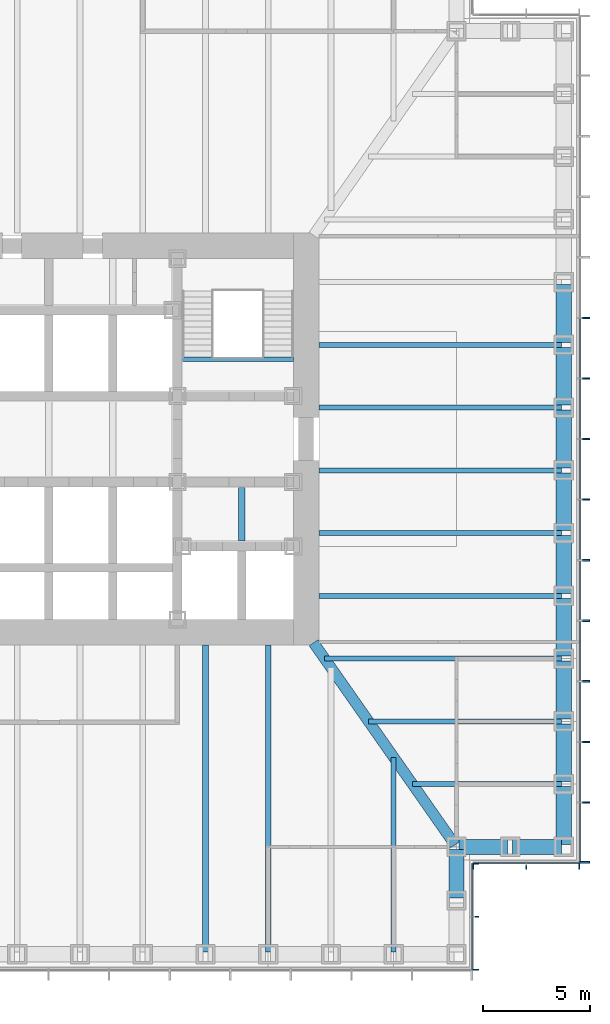
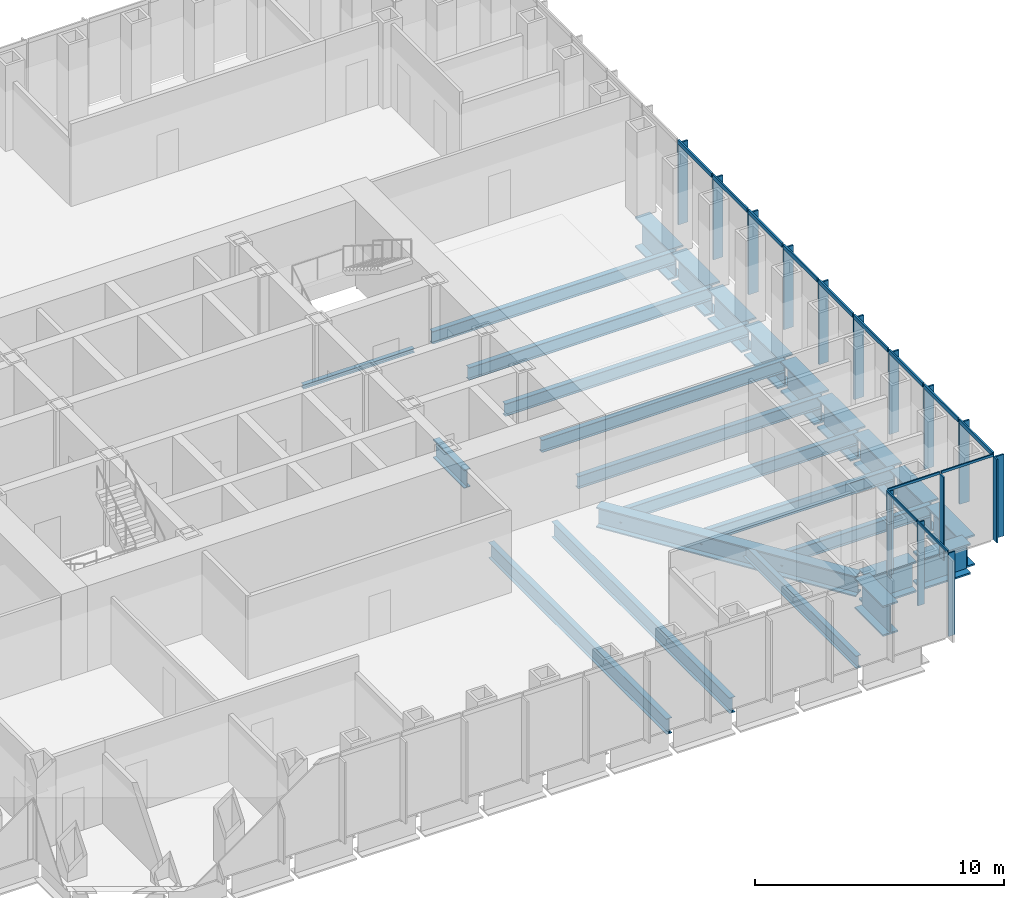
# One storey, part 4 of 17: 29 members, 26 beams, 3 elements without a shape of their own.
"""IFC4 building model written with IfcOpenShell, lengths in metres."""

import ifcopenshell
import ifcopenshell.guid

model = None  # the IFC model being written
_history = None  # IfcOwnerHistory: only IFC2X3 demands one
_inside = {}  # id of a spatial element -> (the spatial element, [elements in it])
_under = {}  # id of a project, library or spatial element -> (it, [spatial elements below it])
_declared = {}  # id of a project -> (the project, [libraries it declares])
_typed = {}  # id of a type object -> (the type object, [elements of that type])
_made_of = {}  # id of a material, layer set ... -> (it, [elements and type objects made of it])


def new_model(schema):
    """Start an empty IFC model of exactly this schema.

    Asked for "IFC4X3", IfcOpenShell would pick the latest addendum, in which some entities
    have other attributes; the version numbers below select the first issue.
    IFC2X3 requires an IfcOwnerHistory on every rooted entity: one is made here for all.
    """
    global model, _history
    if schema == "IFC4X3":
        model = ifcopenshell.file(schema_version=(4, 3, 0, 0))
    else:
        model = ifcopenshell.file(schema=schema)
    _inside.clear()
    _under.clear()
    _declared.clear()
    _typed.clear()
    _made_of.clear()
    _history = None
    if model.schema == "IFC2X3":
        org = make("IfcOrganization", Name="unknown")
        user = make(
            "IfcPersonAndOrganization",
            ThePerson=make("IfcPerson", FamilyName="unknown"),
            TheOrganization=org,
        )
        app = make(
            "IfcApplication",
            ApplicationDeveloper=org,
            Version="unknown",
            ApplicationFullName="unknown",
            ApplicationIdentifier="unknown",
        )
        _history = make(
            "IfcOwnerHistory",
            OwningUser=user,
            OwningApplication=app,
            ChangeAction="ADDED",
            CreationDate=0,
        )
    return model


def make(cls, **values):
    """One entity of the class cls with the attributes given. An attribute that is None is left unset."""
    return model.create_entity(
        cls, **{name: value for name, value in values.items() if value is not None}
    )


def rooted(cls, **values):
    """An entity with a GlobalId (a new one), such as an element, a storey or a relation."""
    return make(cls, GlobalId=ifcopenshell.guid.new(), OwnerHistory=_history, **values)


def si_unit(unit_type, name, prefix=None):
    """IfcSIUnit, for example si_unit("LENGTHUNIT", "METRE", prefix="MILLI")."""
    return make("IfcSIUnit", UnitType=unit_type, Prefix=prefix, Name=name)


def assignment(units):
    """IfcUnitAssignment: the units of a project."""
    return None if units is None else make("IfcUnitAssignment", Units=units)


def point(xyz):
    """IfcCartesianPoint."""
    return None if xyz is None else make("IfcCartesianPoint", Coordinates=xyz)


def direction(xyz):
    """IfcDirection."""
    return None if xyz is None else make("IfcDirection", DirectionRatios=xyz)


def frame(location, z_axis=None, x_axis=None):
    """IfcAxis2Placement3D, a coordinate frame: its origin and axes. An axis left out is left unset."""
    return make(
        "IfcAxis2Placement3D",
        Location=point(location),
        Axis=direction(z_axis),
        RefDirection=direction(x_axis),
    )


def frame_2d(location, x_axis=None):
    """IfcAxis2Placement2D, a coordinate frame in the plane: its origin and x axis."""
    return make(
        "IfcAxis2Placement2D", Location=point(location), RefDirection=direction(x_axis)
    )


def origin():
    """The frame at (0, 0, 0) with its axes left unset."""
    return frame((0.0, 0.0, 0.0))


def origin_2d():
    """The frame at (0, 0) in the plane with its x axis left unset."""
    return frame_2d((0.0, 0.0))


def place(relative_to, where):
    """IfcLocalPlacement: puts the frame where relative to a parent placement (None: the world)."""
    return make(
        "IfcLocalPlacement", PlacementRelTo=relative_to, RelativePlacement=where
    )


def context(
    kind, dimensions, precision=None, world=None, true_north=None, identifier=None
):
    """IfcGeometricRepresentationContext, for example the 3D "Model" context."""
    return make(
        "IfcGeometricRepresentationContext",
        ContextIdentifier=identifier,
        ContextType=kind,
        CoordinateSpaceDimension=dimensions,
        Precision=precision,
        WorldCoordinateSystem=world,
        TrueNorth=true_north,
    )


def subcontext(parent, identifier, kind, view, scale=None):
    """IfcGeometricRepresentationSubContext, for example "Body" below "Model"."""
    return make(
        "IfcGeometricRepresentationSubContext",
        ContextIdentifier=identifier,
        ContextType=kind,
        ParentContext=parent,
        TargetScale=scale,
        TargetView=view,
    )


def project(units=None, contexts=None):
    """IfcProject with its units and contexts."""
    return rooted(
        "IfcProject",
        Name="project",
        RepresentationContexts=contexts,
        UnitsInContext=assignment(units),
    )


def spatial(cls, under=None, at=None, **own):
    """A site, building, storey or space (cls), placed at a placement, below another one or the project."""
    s = rooted(cls, ObjectPlacement=at, **own)
    if under is not None:
        _under.setdefault(under.id(), (under, []))[1].append(s)
    return s


def profile(cls, at=None, kind="AREA", **sizes):
    """A parametric profile (cls). Its sizes go by their IFC names, for example OverallWidth=200.0."""
    return make(cls, ProfileType=kind, Position=at, **sizes)


def rectangle(**sizes):
    """IfcRectangleProfileDef."""
    return profile("IfcRectangleProfileDef", **sizes)


def i_section(**sizes):
    """IfcIShapeProfileDef."""
    return profile("IfcIShapeProfileDef", **sizes)


def extrude(swept, where, along, depth):
    """IfcExtrudedAreaSolid: the profile swept, set in the frame where, extruded along a direction by depth."""
    return make(
        "IfcExtrudedAreaSolid",
        SweptArea=swept,
        Position=where,
        ExtrudedDirection=direction(along),
        Depth=depth,
    )


def shape(context_of_items, identifier, shape_type, items):
    """IfcShapeRepresentation: the items that make up one representation, for example the "Body"."""
    return make(
        "IfcShapeRepresentation",
        ContextOfItems=context_of_items,
        RepresentationIdentifier=identifier,
        RepresentationType=shape_type,
        Items=items,
    )


def material(Name=None, Category=None):
    """IfcMaterial."""
    return make("IfcMaterial", Name=Name, Category=Category)


def material_profile(
    of_material, cross_section, Name=None, Category=None, Priority=None
):
    """IfcMaterialProfile: a cross section and its material."""
    return make(
        "IfcMaterialProfile",
        Name=Name,
        Material=of_material,
        Profile=cross_section,
        Priority=Priority,
        Category=Category,
    )


def profile_set(profiles, Name=None, composite=None):
    """IfcMaterialProfileSet."""
    return make(
        "IfcMaterialProfileSet",
        Name=Name,
        MaterialProfiles=profiles,
        CompositeProfile=composite,
    )


def made_of(thing, what):
    """Note that an element or type object is made of a material, layer set ...; save() writes the relation."""
    if what is not None:
        _made_of.setdefault(what.id(), (what, []))[1].append(thing)
    return thing


def type_object(cls, material=None, **own):
    """A type object (cls), such as IfcWallType, which elements share."""
    return made_of(rooted(cls, **own), material)


def element(
    cls,
    number,
    at=None,
    inside=None,
    cuts=None,
    type_object=None,
    material=None,
    context=None,
    identifier="Body",
    shape_type=None,
    held_by="IfcProductDefinitionShape",
    body=None,
    shapes=None,
    **own,
):
    """One element of the class cls, such as IfcWall. Its Tag is "e" and its number.

    at: its placement. inside: the storey or other place that contains it. cuts: it is an
    opening in that element (IfcRelVoidsElement). A single representation is given by context,
    identifier, shape_type and body (its items); several are given by shapes. held_by: the class
    of the entity that holds the representations. save() writes the other relations.
    """
    e = rooted(cls, Tag="e%d" % number, ObjectPlacement=at, **own)
    if body is not None:
        shapes = [shape(context, identifier, shape_type, body)]
    if shapes is not None:
        e.Representation = make(held_by, Representations=shapes)
    if inside is not None:
        _inside.setdefault(inside.id(), (inside, []))[1].append(e)
    if cuts is not None:
        rooted(
            "IfcRelVoidsElement", RelatingBuildingElement=cuts, RelatedOpeningElement=e
        )
    if type_object is not None:
        _typed.setdefault(type_object.id(), (type_object, []))[1].append(e)
    return made_of(e, material)


def aggregate(whole, parts):
    """IfcRelAggregates: a whole, such as a stair, and the parts it consists of."""
    return rooted("IfcRelAggregates", RelatingObject=whole, RelatedObjects=parts)


def save(model, path):
    """Write the relations noted so far, then the file.

    IfcRelAggregates (storeys below a building ...), IfcRelContainedInSpatialStructure (elements
    in a storey), IfcRelDefinesByType, IfcRelAssociatesMaterial and IfcRelDeclares: one each for
    every whole, place, type object, material and project.
    """
    for whole, parts in _under.values():
        aggregate(whole, parts)
    for where, things in _inside.values():
        rooted(
            "IfcRelContainedInSpatialStructure",
            RelatedElements=things,
            RelatingStructure=where,
        )
    for kind, things in _typed.values():
        rooted("IfcRelDefinesByType", RelatedObjects=things, RelatingType=kind)
    for what, things in _made_of.values():
        rooted("IfcRelAssociatesMaterial", RelatedObjects=things, RelatingMaterial=what)
    for by, libraries in _declared.values():
        rooted("IfcRelDeclares", RelatingContext=by, RelatedDefinitions=libraries)
    model.write(path)


model = new_model("IFC4")

# Units and contexts
model_context = context("Model", 3, precision=1e-05, world=origin(), true_north=direction((0.0, 1.0)))
body_context = subcontext(model_context, "Body", "Model", "MODEL_VIEW")
ifc_project = project(units=[si_unit("LENGTHUNIT", "METRE"), si_unit("AREAUNIT", "SQUARE_METRE"), si_unit("VOLUMEUNIT", "CUBIC_METRE"), si_unit("PLANEANGLEUNIT", "RADIAN"), si_unit("MASSUNIT", "GRAM", prefix="KILO")], contexts=[model_context])

# Site, building, storey
site_placement = place(None, origin())
site = spatial("IfcSite", under=ifc_project, at=site_placement, CompositionType="ELEMENT")
building_placement = place(site_placement, origin())
building = spatial("IfcBuilding", under=site, at=building_placement, Name="Daluyong Arena Tower", CompositionType="ELEMENT")
storey_placement = place(building_placement, frame((0.0, 0.0, 89.5)))
storey = spatial("IfcBuildingStorey", under=building, at=storey_placement, Name="L19", CompositionType="ELEMENT", Elevation=89.5)

# Curtain wall, members
ifc_material_1 = material(Name="Bronze anodised aluminium and glass", Category="aluminium")
curtain_wall_type_1 = type_object("IfcCurtainWallType", Name="Curtain wall CW1", PredefinedType="USERDEFINED", material=ifc_material_1)
curtain_wall_1_placement = place(storey_placement, origin())
curtain_wall_1 = element("IfcCurtainWall", 1, at=curtain_wall_1_placement, inside=storey, type_object=curtain_wall_type_1, Name="curtain wall L19 E", ObjectType="UNITISED CURTAIN WALL", PredefinedType="USERDEFINED")
ifc_material_2 = material(Name="Bronze anodised aluminium fin", Category="aluminium")
ifc_material_profile_1 = material_profile(ifc_material_2, rectangle(XDim=0.449951171875, YDim=0.080078125, at=origin_2d()))
ifc_profile_set_1 = profile_set([ifc_material_profile_1], Name="Bronze anodised aluminium fin")
member_type_1 = type_object("IfcMemberType", Name="CW1 bronze fin 450x80", PredefinedType="MULLION", material=ifc_profile_set_1)
member_1_placement = place(storey_placement, frame((80.97509765625, 60.2900390625, 0.0), z_axis=(0.0, 0.0, 1.0), x_axis=(-1.0, 0.0, 0.0)))
member_1 = element("IfcMember", 2, at=member_1_placement, type_object=member_type_1, Name="curtain wall L19 E fin 1", PredefinedType="MULLION", context=body_context, shape_type="SweptSolid", body=[
    extrude(rectangle(XDim=0.449951171875, YDim=0.080078125, at=origin_2d()), origin(), (0.0, 0.0, 1.0), 4.0),
])
member_2_placement = place(storey_placement, frame((80.97509765625, 63.071533203125, 0.0), z_axis=(0.0, 0.0, 1.0), x_axis=(-1.0, 0.0, 0.0)))
member_2 = element("IfcMember", 3, at=member_2_placement, type_object=member_type_1, Name="curtain wall L19 E fin 2", PredefinedType="MULLION", context=body_context, shape_type="SweptSolid", body=[
    extrude(rectangle(XDim=0.449951171875, YDim=0.080078125, at=origin_2d()), origin(), (0.0, 0.0, 1.0), 4.0),
])
member_3_placement = place(storey_placement, frame((80.97509765625, 65.892822265625, 0.0), z_axis=(0.0, 0.0, 1.0), x_axis=(-1.0, 0.0, 0.0)))
member_3 = element("IfcMember", 4, at=member_3_placement, type_object=member_type_1, Name="curtain wall L19 E fin 3", PredefinedType="MULLION", context=body_context, shape_type="SweptSolid", body=[
    extrude(rectangle(XDim=0.449951171875, YDim=0.080078125, at=origin_2d()), origin(), (0.0, 0.0, 1.0), 4.0),
])
member_4_placement = place(storey_placement, frame((80.97509765625, 68.71435546875, 0.0), z_axis=(0.0, 0.0, 1.0), x_axis=(-1.0, 0.0, 0.0)))
member_4 = element("IfcMember", 5, at=member_4_placement, type_object=member_type_1, Name="curtain wall L19 E fin 4", PredefinedType="MULLION", context=body_context, shape_type="SweptSolid", body=[
    extrude(rectangle(XDim=0.449951171875, YDim=0.080078125, at=origin_2d()), origin(), (0.0, 0.0, 1.0), 4.0),
])
member_5_placement = place(storey_placement, frame((80.97509765625, 71.53564453125, 0.0), z_axis=(0.0, 0.0, 1.0), x_axis=(-1.0, 0.0, 0.0)))
member_5 = element("IfcMember", 6, at=member_5_placement, type_object=member_type_1, Name="curtain wall L19 E fin 5", PredefinedType="MULLION", context=body_context, shape_type="SweptSolid", body=[
    extrude(rectangle(XDim=0.449951171875, YDim=0.080078125, at=origin_2d()), origin(), (0.0, 0.0, 1.0), 4.0),
])
member_6_placement = place(storey_placement, frame((80.97509765625, 74.357177734375, 0.0), z_axis=(0.0, 0.0, 1.0), x_axis=(-1.0, 0.0, 0.0)))
member_6 = element("IfcMember", 7, at=member_6_placement, type_object=member_type_1, Name="curtain wall L19 E fin 6", PredefinedType="MULLION", context=body_context, shape_type="SweptSolid", body=[
    extrude(rectangle(XDim=0.449951171875, YDim=0.080078125, at=origin_2d()), origin(), (0.0, 0.0, 1.0), 4.0),
])
member_7_placement = place(storey_placement, frame((80.97509765625, 77.178466796875, 0.0), z_axis=(0.0, 0.0, 1.0), x_axis=(-1.0, 0.0, 0.0)))
member_7 = element("IfcMember", 8, at=member_7_placement, type_object=member_type_1, Name="curtain wall L19 E fin 7", PredefinedType="MULLION", context=body_context, shape_type="SweptSolid", body=[
    extrude(rectangle(XDim=0.449951171875, YDim=0.080078125, at=origin_2d()), origin(), (0.0, 0.0, 1.0), 4.0),
])
member_8_placement = place(storey_placement, frame((80.97509765625, 80.0, 0.0), z_axis=(0.0, 0.0, 1.0), x_axis=(-1.0, 0.0, 0.0)))
member_8 = element("IfcMember", 9, at=member_8_placement, type_object=member_type_1, Name="curtain wall L19 E fin 8", PredefinedType="MULLION", context=body_context, shape_type="SweptSolid", body=[
    extrude(rectangle(XDim=0.449951171875, YDim=0.080078125, at=origin_2d()), origin(), (0.0, 0.0, 1.0), 4.0),
])
member_9_placement = place(storey_placement, frame((80.97509765625, 82.821533203125, 0.0), z_axis=(0.0, 0.0, 1.0), x_axis=(-1.0, 0.0, 0.0)))
member_9 = element("IfcMember", 10, at=member_9_placement, type_object=member_type_1, Name="curtain wall L19 E fin 9", PredefinedType="MULLION", context=body_context, shape_type="SweptSolid", body=[
    extrude(rectangle(XDim=0.449951171875, YDim=0.080078125, at=origin_2d()), origin(), (0.0, 0.0, 1.0), 4.0),
])
member_10_placement = place(storey_placement, frame((80.97509765625, 85.642822265625, 0.0), z_axis=(0.0, 0.0, 1.0), x_axis=(-1.0, 0.0, 0.0)))
member_10 = element("IfcMember", 11, at=member_10_placement, type_object=member_type_1, Name="curtain wall L19 E fin 10", PredefinedType="MULLION", context=body_context, shape_type="SweptSolid", body=[
    extrude(rectangle(XDim=0.449951171875, YDim=0.080078125, at=origin_2d()), origin(), (0.0, 0.0, 1.0), 4.0),
])
ifc_material_3 = material(Name="Bronze anodised aluminium", Category="aluminium")
ifc_material_profile_2 = material_profile(ifc_material_3, rectangle(XDim=0.080078125, YDim=0.199951171875, at=origin_2d()))
ifc_profile_set_2 = profile_set([ifc_material_profile_2], Name="Bronze anodised aluminium")
member_type_2 = type_object("IfcMemberType", Name="CW1 stack transom 200x80", PredefinedType="USERDEFINED", material=ifc_profile_set_2)
member_11_placement = place(storey_placement, frame((80.75, 60.330078125, 4.10009765625), z_axis=(0.0, 1.0, 0.0), x_axis=(-1.0, 0.0, 0.0)))
member_11 = element("IfcMember", 12, at=member_11_placement, type_object=member_type_2, Name="curtain wall L19 E transom 1", ObjectType="TRANSOM", PredefinedType="USERDEFINED", context=body_context, shape_type="SweptSolid", body=[
    extrude(rectangle(XDim=0.080078125, YDim=0.199951171875, at=origin_2d()), origin(), (0.0, 0.0, 1.0), 2.701416015625),
])
member_12_placement = place(storey_placement, frame((80.75, 63.111328125, 4.10009765625), z_axis=(0.0, 1.0, 0.0), x_axis=(-1.0, 0.0, 0.0)))
member_12 = element("IfcMember", 13, at=member_12_placement, type_object=member_type_2, Name="curtain wall L19 E transom 2", ObjectType="TRANSOM", PredefinedType="USERDEFINED", context=body_context, shape_type="SweptSolid", body=[
    extrude(rectangle(XDim=0.080078125, YDim=0.199951171875, at=origin_2d()), origin(), (0.0, 0.0, 1.0), 2.741455078125),
])
member_13_placement = place(storey_placement, frame((80.75, 65.932861328125, 4.10009765625), z_axis=(0.0, 1.0, 0.0), x_axis=(-1.0, 0.0, 0.0)))
member_13 = element("IfcMember", 14, at=member_13_placement, type_object=member_type_2, Name="curtain wall L19 E transom 3", ObjectType="TRANSOM", PredefinedType="USERDEFINED", context=body_context, shape_type="SweptSolid", body=[
    extrude(rectangle(XDim=0.080078125, YDim=0.199951171875, at=origin_2d()), origin(), (0.0, 0.0, 1.0), 2.741455078125),
])
member_14_placement = place(storey_placement, frame((80.75, 68.75439453125, 4.10009765625), z_axis=(0.0, 1.0, 0.0), x_axis=(-1.0, 0.0, 0.0)))
member_14 = element("IfcMember", 15, at=member_14_placement, type_object=member_type_2, Name="curtain wall L19 E transom 4", ObjectType="TRANSOM", PredefinedType="USERDEFINED", context=body_context, shape_type="SweptSolid", body=[
    extrude(rectangle(XDim=0.080078125, YDim=0.199951171875, at=origin_2d()), origin(), (0.0, 0.0, 1.0), 2.7412109375),
])
member_15_placement = place(storey_placement, frame((80.75, 71.57568359375, 4.10009765625), z_axis=(0.0, 1.0, 0.0), x_axis=(-1.0, 0.0, 0.0)))
member_15 = element("IfcMember", 16, at=member_15_placement, type_object=member_type_2, Name="curtain wall L19 E transom 5", ObjectType="TRANSOM", PredefinedType="USERDEFINED", context=body_context, shape_type="SweptSolid", body=[
    extrude(rectangle(XDim=0.080078125, YDim=0.199951171875, at=origin_2d()), origin(), (0.0, 0.0, 1.0), 2.741455078125),
])
member_16_placement = place(storey_placement, frame((80.75, 74.397216796875, 4.10009765625), z_axis=(0.0, 1.0, 0.0), x_axis=(-1.0, 0.0, 0.0)))
member_16 = element("IfcMember", 17, at=member_16_placement, type_object=member_type_2, Name="curtain wall L19 E transom 6", ObjectType="TRANSOM", PredefinedType="USERDEFINED", context=body_context, shape_type="SweptSolid", body=[
    extrude(rectangle(XDim=0.080078125, YDim=0.199951171875, at=origin_2d()), origin(), (0.0, 0.0, 1.0), 2.741455078125),
])
member_17_placement = place(storey_placement, frame((80.75, 77.218505859375, 4.10009765625), z_axis=(0.0, 1.0, 0.0), x_axis=(-1.0, 0.0, 0.0)))
member_17 = element("IfcMember", 18, at=member_17_placement, type_object=member_type_2, Name="curtain wall L19 E transom 7", ObjectType="TRANSOM", PredefinedType="USERDEFINED", context=body_context, shape_type="SweptSolid", body=[
    extrude(rectangle(XDim=0.080078125, YDim=0.199951171875, at=origin_2d()), origin(), (0.0, 0.0, 1.0), 2.741455078125),
])
member_18_placement = place(storey_placement, frame((80.75, 80.0400390625, 4.10009765625), z_axis=(0.0, 1.0, 0.0), x_axis=(-1.0, 0.0, 0.0)))
member_18 = element("IfcMember", 19, at=member_18_placement, type_object=member_type_2, Name="curtain wall L19 E transom 8", ObjectType="TRANSOM", PredefinedType="USERDEFINED", context=body_context, shape_type="SweptSolid", body=[
    extrude(rectangle(XDim=0.080078125, YDim=0.199951171875, at=origin_2d()), origin(), (0.0, 0.0, 1.0), 2.741455078125),
])
member_19_placement = place(storey_placement, frame((80.75, 82.861328125, 4.10009765625), z_axis=(0.0, 1.0, 0.0), x_axis=(-1.0, 0.0, 0.0)))
member_19 = element("IfcMember", 20, at=member_19_placement, type_object=member_type_2, Name="curtain wall L19 E transom 9", ObjectType="TRANSOM", PredefinedType="USERDEFINED", context=body_context, shape_type="SweptSolid", body=[
    extrude(rectangle(XDim=0.080078125, YDim=0.199951171875, at=origin_2d()), origin(), (0.0, 0.0, 1.0), 2.741455078125),
])
aggregate(curtain_wall_1, [member_1, member_2, member_3, member_4, member_5, member_6, member_7, member_8, member_9, member_10, member_11, member_12, member_13, member_14, member_15, member_16, member_17, member_18, member_19])

ifc_material_4 = material(Name="Bronze anodised aluminium and glass", Category="aluminium")
curtain_wall_type_2 = type_object("IfcCurtainWallType", Name="Curtain wall CW7", PredefinedType="USERDEFINED", material=ifc_material_4)
curtain_wall_2_placement = place(storey_placement, origin())
curtain_wall_2 = element("IfcCurtainWall", 21, at=curtain_wall_2_placement, inside=storey, type_object=curtain_wall_type_2, Name="curtain wall L19 SE-E", ObjectType="UNITISED CURTAIN WALL", PredefinedType="USERDEFINED")
ifc_material_5 = material(Name="Bronze anodised aluminium fin", Category="aluminium")
ifc_material_profile_3 = material_profile(ifc_material_5, rectangle(XDim=0.300048828125, YDim=0.06005859375, at=origin_2d()))
ifc_profile_set_3 = profile_set([ifc_material_profile_3], Name="Bronze anodised aluminium fin")
member_type_3 = type_object("IfcMemberType", Name="CW7 bronze fin 300x60", PredefinedType="MULLION", material=ifc_profile_set_3)
member_20_placement = place(storey_placement, frame((75.89990234375, 55.280029296875, 0.0), z_axis=(0.0, 0.0, 1.0), x_axis=(-1.0, 0.0, 0.0)))
member_20 = element("IfcMember", 22, at=member_20_placement, type_object=member_type_3, Name="curtain wall L19 SE-E fin 1", PredefinedType="MULLION", context=body_context, shape_type="SweptSolid", body=[
    extrude(rectangle(XDim=0.300048828125, YDim=0.06005859375, at=origin_2d()), origin(), (0.0, 0.0, 1.0), 4.080078125),
])
member_21_placement = place(storey_placement, frame((75.89990234375, 57.75, 0.0), z_axis=(0.0, 0.0, 1.0), x_axis=(-1.0, 0.0, 0.0)))
member_21 = element("IfcMember", 23, at=member_21_placement, type_object=member_type_3, Name="curtain wall L19 SE-E fin 2", PredefinedType="MULLION", context=body_context, shape_type="SweptSolid", body=[
    extrude(rectangle(XDim=0.300048828125, YDim=0.06005859375, at=origin_2d()), origin(), (0.0, 0.0, 1.0), 4.080078125),
])
member_22_placement = place(storey_placement, frame((75.89990234375, 60.219970703125, 0.0), z_axis=(0.0, 0.0, 1.0), x_axis=(-1.0, 0.0, 0.0)))
member_22 = element("IfcMember", 24, at=member_22_placement, type_object=member_type_3, Name="curtain wall L19 SE-E fin 3", PredefinedType="MULLION", context=body_context, shape_type="SweptSolid", body=[
    extrude(rectangle(XDim=0.300048828125, YDim=0.06005859375, at=origin_2d()), origin(), (0.0, 0.0, 1.0), 4.080078125),
])

curtain_wall_3_placement = place(storey_placement, origin())
curtain_wall_3 = element("IfcCurtainWall", 25, at=curtain_wall_3_placement, inside=storey, type_object=curtain_wall_type_2, Name="curtain wall L19 SE-S", ObjectType="UNITISED CURTAIN WALL", PredefinedType="USERDEFINED")
member_23_placement = place(storey_placement, frame((75.780029296875, 60.10009765625, 0.0), z_axis=(0.0, 0.0, 1.0), x_axis=(0.0, 1.0, 0.0)))
member_23 = element("IfcMember", 26, at=member_23_placement, type_object=member_type_3, Name="curtain wall L19 SE-S fin 1", PredefinedType="MULLION", context=body_context, shape_type="SweptSolid", body=[
    extrude(rectangle(XDim=0.300048828125, YDim=0.06005859375, at=origin_2d()), origin(), (0.0, 0.0, 1.0), 4.080078125),
])
member_24_placement = place(storey_placement, frame((78.25, 60.10009765625, 0.0), z_axis=(0.0, 0.0, 1.0), x_axis=(0.0, 1.0, 0.0)))
member_24 = element("IfcMember", 27, at=member_24_placement, type_object=member_type_3, Name="curtain wall L19 SE-S fin 2", PredefinedType="MULLION", context=body_context, shape_type="SweptSolid", body=[
    extrude(rectangle(XDim=0.300048828125, YDim=0.06005859375, at=origin_2d()), origin(), (0.0, 0.0, 1.0), 4.080078125),
])
member_25_placement = place(storey_placement, frame((80.719970703125, 60.10009765625, 0.0), z_axis=(0.0, 0.0, 1.0), x_axis=(0.0, 1.0, 0.0)))
member_25 = element("IfcMember", 28, at=member_25_placement, type_object=member_type_3, Name="curtain wall L19 SE-S fin 3", PredefinedType="MULLION", context=body_context, shape_type="SweptSolid", body=[
    extrude(rectangle(XDim=0.300048828125, YDim=0.06005859375, at=origin_2d()), origin(), (0.0, 0.0, 1.0), 4.080078125),
])

# Member
ifc_material_6 = material(Name="Bronze anodised aluminium", Category="aluminium")
ifc_material_profile_4 = material_profile(ifc_material_6, rectangle(XDim=0.06005859375, YDim=0.1201171875, at=origin_2d()))
ifc_profile_set_4 = profile_set([ifc_material_profile_4], Name="Bronze anodised aluminium")
member_type_4 = type_object("IfcMemberType", Name="CW7 stack transom 120x60", PredefinedType="USERDEFINED", material=ifc_profile_set_4)
member_26_placement = place(storey_placement, frame((75.75, 55.31005859375, 4.139892578125), z_axis=(0.0, 1.0, 0.0), x_axis=(-1.0, 0.0, 0.0)))
member_26 = element("IfcMember", 29, at=member_26_placement, type_object=member_type_4, Name="curtain wall L19 SE-E transom 1", ObjectType="TRANSOM", PredefinedType="USERDEFINED", context=body_context, shape_type="SweptSolid", body=[
    extrude(rectangle(XDim=0.06005859375, YDim=0.1201171875, at=origin_2d()), origin(), (0.0, 0.0, 1.0), 2.409912109375),
])

member_27_placement = place(storey_placement, frame((75.75, 57.780029296875, 4.139892578125), z_axis=(0.0, 1.0, 0.0), x_axis=(-1.0, 0.0, 0.0)))
member_27 = element("IfcMember", 30, at=member_27_placement, type_object=member_type_4, Name="curtain wall L19 SE-E transom 2", ObjectType="TRANSOM", PredefinedType="USERDEFINED", context=body_context, shape_type="SweptSolid", body=[
    extrude(rectangle(XDim=0.06005859375, YDim=0.1201171875, at=origin_2d()), origin(), (0.0, 0.0, 1.0), 2.409912109375),
])

aggregate(curtain_wall_2, [member_20, member_21, member_22, member_26, member_27])

member_28_placement = place(storey_placement, frame((75.81005859375, 60.25, 4.139892578125), z_axis=(1.0, 0.0, 0.0), x_axis=(0.0, 1.0, 0.0)))
member_28 = element("IfcMember", 31, at=member_28_placement, type_object=member_type_4, Name="curtain wall L19 SE-S transom 1", ObjectType="TRANSOM", PredefinedType="USERDEFINED", context=body_context, shape_type="SweptSolid", body=[
    extrude(rectangle(XDim=0.06005859375, YDim=0.1201171875, at=origin_2d()), origin(), (0.0, 0.0, 1.0), 2.409912109375),
])

member_29_placement = place(storey_placement, frame((78.280029296875, 60.25, 4.139892578125), z_axis=(1.0, 0.0, 0.0), x_axis=(0.0, 1.0, 0.0)))
member_29 = element("IfcMember", 32, at=member_29_placement, type_object=member_type_4, Name="curtain wall L19 SE-S transom 2", ObjectType="TRANSOM", PredefinedType="USERDEFINED", context=body_context, shape_type="SweptSolid", body=[
    extrude(rectangle(XDim=0.06005859375, YDim=0.1201171875, at=origin_2d()), origin(), (0.0, 0.0, 1.0), 2.409912109375),
])

aggregate(curtain_wall_3, [member_23, member_24, member_25, member_28, member_29])

# Beams
ifc_material_7 = material(Name="Steel ASTM A572 Grade 50", Category="steel")
ifc_material_profile_5 = material_profile(ifc_material_7, i_section(OverallWidth=0.5, OverallDepth=1.0, WebThickness=0.03, FlangeThickness=0.06, at=origin_2d()))
ifc_profile_set_5 = profile_set([ifc_material_profile_5], Name="Steel ASTM A572 Grade 50")
beam_type_1 = type_object("IfcBeamType", Name="Corner girder TB1000X500", PredefinedType="BEAM", material=ifc_profile_set_5)
beam_1_placement = place(storey_placement, frame((74.93408203125, 61.09423828125, -0.659912109375), z_axis=(-0.573466621875, 0.819228926244, 0.0), x_axis=(-0.819228926244, -0.573466621875, 0.0)))
element("IfcBeam", 33, at=beam_1_placement, inside=storey, type_object=beam_type_1, Name="corner girder DG2", PredefinedType="BEAM", context=body_context, shape_type="SweptSolid", body=[
    extrude(i_section(OverallWidth=0.5, OverallDepth=1.0, WebThickness=0.03, FlangeThickness=0.06, at=origin_2d()), origin(), (0.0, 0.0, 1.0), 11.49169921875),
])
ifc_material_8 = material(Name="Steel ASTM A992 Grade 50", Category="steel")
ifc_material_profile_6 = material_profile(ifc_material_8, i_section(OverallWidth=0.22900390625, OverallDepth=0.612060546875, WebThickness=0.011962890625, FlangeThickness=0.01953125, at=origin_2d()))
ifc_profile_set_6 = profile_set([ifc_material_profile_6], Name="Steel ASTM A992 Grade 50")
beam_type_2 = type_object("IfcBeamType", Name="Floor beam W24X84", PredefinedType="BEAM", material=ifc_profile_set_6)
beam_2_placement = place(storey_placement, frame((72.076904296875, 56.114990234375, -0.466064453125), z_axis=(0.0, 1.0, 0.0), x_axis=(-1.0, 0.0, 0.0)))
element("IfcBeam", 34, at=beam_2_placement, inside=storey, type_object=beam_type_2, Name="floor beam FB3", PredefinedType="BEAM", context=body_context, shape_type="SweptSolid", body=[
    extrude(i_section(OverallWidth=0.22900390625, OverallDepth=0.612060546875, WebThickness=0.011962890625, FlangeThickness=0.01953125, at=origin_2d()), origin(), (0.0, 0.0, 1.0), 9.060791015625),
])
beam_3_placement = place(storey_placement, frame((79.885009765625, 63.923095703125, -0.466064453125), z_axis=(-1.0, 0.0, 0.0), x_axis=(0.0, -1.0, 0.0)))
element("IfcBeam", 35, at=beam_3_placement, inside=storey, type_object=beam_type_2, Name="floor beam FB3", PredefinedType="BEAM", context=body_context, shape_type="SweptSolid", body=[
    extrude(i_section(OverallWidth=0.22900390625, OverallDepth=0.612060546875, WebThickness=0.011962890625, FlangeThickness=0.01953125, at=origin_2d()), origin(), (0.0, 0.0, 1.0), 6.93115234375),
])
beam_4_placement = place(storey_placement, frame((79.885009765625, 66.84619140625, -0.466064453125), z_axis=(-1.0, 0.0, 0.0), x_axis=(0.0, -1.0, 0.0)))
element("IfcBeam", 36, at=beam_4_placement, inside=storey, type_object=beam_type_2, Name="floor beam FB3", PredefinedType="BEAM", context=body_context, shape_type="SweptSolid", body=[
    extrude(i_section(OverallWidth=0.22900390625, OverallDepth=0.612060546875, WebThickness=0.011962890625, FlangeThickness=0.01953125, at=origin_2d()), origin(), (0.0, 0.0, 1.0), 8.977294921875),
])
beam_5_placement = place(storey_placement, frame((79.885009765625, 69.769287109375, -0.466064453125), z_axis=(-1.0, 0.0, 0.0), x_axis=(0.0, -1.0, 0.0)))
element("IfcBeam", 37, at=beam_5_placement, inside=storey, type_object=beam_type_2, Name="floor beam FB3", PredefinedType="BEAM", context=body_context, shape_type="SweptSolid", body=[
    extrude(i_section(OverallWidth=0.22900390625, OverallDepth=0.612060546875, WebThickness=0.011962890625, FlangeThickness=0.01953125, at=origin_2d()), origin(), (0.0, 0.0, 1.0), 11.0234375),
])
for number, where, z_axis, x_axis, name in (
    (38, (79.885009765625, 72.6923828125, -0.466064453125), (-1.0, 0.0, 0.0), (0.0, -1.0, 0.0), "floor beam FB3"),
    (39, (79.885009765625, 75.615478515625, -0.466064453125), (-1.0, 0.0, 0.0), (0.0, -1.0, 0.0), "floor beam FB3"),
    (40, (79.885009765625, 78.53857421875, -0.466064453125), (-1.0, 0.0, 0.0), (0.0, -1.0, 0.0), "floor beam FB3"),
    (41, (79.885009765625, 81.46142578125, -0.466064453125), (-1.0, 0.0, 0.0), (0.0, -1.0, 0.0), "floor beam FB3"),
    (42, (79.885009765625, 84.384521484375, -0.466064453125), (-1.0, 0.0, 0.0), (0.0, -1.0, 0.0), "floor beam FB3"),
):
    element("IfcBeam", number, at=place(storey_placement, frame(where, z_axis=z_axis, x_axis=x_axis)), inside=storey, type_object=beam_type_2, Name=name, PredefinedType="BEAM", context=body_context, shape_type="SweptSolid", body=[
        extrude(i_section(OverallWidth=0.22900390625, OverallDepth=0.612060546875, WebThickness=0.011962890625, FlangeThickness=0.01953125, at=origin_2d()), origin(), (0.0, 0.0, 1.0), 11.284912109375),
    ])
ifc_material_9 = material(Name="Steel ASTM A992 Grade 50", Category="steel")
ifc_material_profile_7 = material_profile(ifc_material_9, i_section(OverallWidth=0.2666015625, OverallDepth=0.761962890625, WebThickness=0.014404296875, FlangeThickness=0.021484375, at=origin_2d()))
ifc_profile_set_7 = profile_set([ifc_material_profile_7], Name="Steel ASTM A992 Grade 50")
beam_type_3 = type_object("IfcBeamType", Name="Floor beam W30X116", PredefinedType="BEAM", material=ifc_profile_set_7)
for number, where, z_axis, x_axis, name in (
    (43, (63.3076171875, 56.114990234375, -0.541015625), (0.0, 1.0, 0.0), (-1.0, 0.0, 0.0), "floor beam FB4"),
    (44, (66.230712890625, 56.114990234375, -0.541015625), (0.0, 1.0, 0.0), (-1.0, 0.0, 0.0), "floor beam FB4"),
):
    element("IfcBeam", number, at=place(storey_placement, frame(where, z_axis=z_axis, x_axis=x_axis)), inside=storey, type_object=beam_type_3, Name=name, PredefinedType="BEAM", context=body_context, shape_type="SweptSolid", body=[
        extrude(i_section(OverallWidth=0.2666015625, OverallDepth=0.761962890625, WebThickness=0.014404296875, FlangeThickness=0.021484375, at=origin_2d()), origin(), (0.0, 0.0, 1.0), 14.284912109375),
    ])
ifc_material_10 = material(Name="Steel ASTM A572 Grade 50", Category="steel")
ifc_material_profile_8 = material_profile(ifc_material_10, i_section(OverallWidth=0.300048828125, OverallDepth=0.89990234375, WebThickness=0.025, FlangeThickness=0.04, at=origin_2d()))
ifc_profile_set_8 = profile_set([ifc_material_profile_8], Name="Steel ASTM A572 Grade 50")
beam_type_4 = type_object("IfcBeamType", Name="Lift divider beam PG900X300", PredefinedType="BEAM", material=ifc_profile_set_8)
beam_6_placement = place(storey_placement, frame((65.0, 75.25, -0.610107421875), z_axis=(0.0, 1.0, 0.0), x_axis=(-1.0, 0.0, 0.0)))
element("IfcBeam", 45, at=beam_6_placement, inside=storey, type_object=beam_type_4, Name="lift divider beam DB1", PredefinedType="BEAM", context=body_context, shape_type="SweptSolid", body=[
    extrude(i_section(OverallWidth=0.300048828125, OverallDepth=0.89990234375, WebThickness=0.025, FlangeThickness=0.04, at=origin_2d()), origin(), (0.0, 0.0, 1.0), 2.5),
])
ifc_material_11 = material(Name="Steel ASTM A572 Grade 50", Category="steel")
ifc_material_profile_9 = material_profile(ifc_material_11, i_section(OverallWidth=0.699951171875, OverallDepth=1.5, WebThickness=0.04, FlangeThickness=0.08, at=origin_2d()))
ifc_profile_set_9 = profile_set([ifc_material_profile_9], Name="Steel ASTM A572 Grade 50")
beam_type_5 = type_object("IfcBeamType", Name="Spandrel Z1 PG1500X700", PredefinedType="SPANDREL", material=ifc_profile_set_9)
for number, where, z_axis, x_axis, name in (
    (46, (75.0, 58.614990234375, -0.909912109375), (0.0, 1.0, 0.0), (-1.0, 0.0, 0.0), "spandrel z1 SB4"),
    (47, (75.114990234375, 61.0, -0.909912109375), (1.0, 0.0, 0.0), (0.0, 1.0, 0.0), "spandrel z1 SB4"),
    (48, (77.614990234375, 61.0, -0.909912109375), (1.0, 0.0, 0.0), (0.0, 1.0, 0.0), "spandrel z1 SB4"),
):
    element("IfcBeam", number, at=place(storey_placement, frame(where, z_axis=z_axis, x_axis=x_axis)), inside=storey, type_object=beam_type_5, Name=name, PredefinedType="SPANDREL", context=body_context, shape_type="SweptSolid", body=[
        extrude(i_section(OverallWidth=0.699951171875, OverallDepth=1.5, WebThickness=0.04, FlangeThickness=0.08, at=origin_2d()), origin(), (0.0, 0.0, 1.0), 2.27001953125),
    ])
for number, where, z_axis, x_axis, name in (
    (49, (80.0, 61.114990234375, -0.909912109375), (0.0, 1.0, 0.0), (-1.0, 0.0, 0.0), "spandrel z1 SB4"),
    (50, (80.0, 64.0380859375, -0.909912109375), (0.0, 1.0, 0.0), (-1.0, 0.0, 0.0), "spandrel z1 SB4"),
    (51, (80.0, 66.961181640625, -0.909912109375), (0.0, 1.0, 0.0), (-1.0, 0.0, 0.0), "spandrel z1 SB4"),
    (52, (80.0, 69.88427734375, -0.909912109375), (0.0, 1.0, 0.0), (-1.0, 0.0, 0.0), "spandrel z1 SB4"),
    (53, (80.0, 72.807373046875, -0.909912109375), (0.0, 1.0, 0.0), (-1.0, 0.0, 0.0), "spandrel z1 SB4"),
    (54, (80.0, 75.73046875, -0.909912109375), (0.0, 1.0, 0.0), (-1.0, 0.0, 0.0), "spandrel z1 SB4"),
):
    element("IfcBeam", number, at=place(storey_placement, frame(where, z_axis=z_axis, x_axis=x_axis)), inside=storey, type_object=beam_type_5, Name=name, PredefinedType="SPANDREL", context=body_context, shape_type="SweptSolid", body=[
        extrude(i_section(OverallWidth=0.699951171875, OverallDepth=1.5, WebThickness=0.04, FlangeThickness=0.08, at=origin_2d()), origin(), (0.0, 0.0, 1.0), 2.693115234375),
    ])
beam_7_placement = place(storey_placement, frame((80.0, 78.653564453125, -0.909912109375), z_axis=(0.0, 1.0, 0.0), x_axis=(-1.0, 0.0, 0.0)))
element("IfcBeam", 55, at=beam_7_placement, inside=storey, type_object=beam_type_5, Name="spandrel z1 SB4", PredefinedType="SPANDREL", context=body_context, shape_type="SweptSolid", body=[
    extrude(i_section(OverallWidth=0.699951171875, OverallDepth=1.5, WebThickness=0.04, FlangeThickness=0.08, at=origin_2d()), origin(), (0.0, 0.0, 1.0), 2.69287109375),
])
for number, where, z_axis, x_axis, name in (
    (56, (80.0, 81.576416015625, -0.909912109375), (0.0, 1.0, 0.0), (-1.0, 0.0, 0.0), "spandrel z1 SB4"),
    (57, (80.0, 84.49951171875, -0.909912109375), (0.0, 1.0, 0.0), (-1.0, 0.0, 0.0), "spandrel z1 SB4"),
):
    element("IfcBeam", number, at=place(storey_placement, frame(where, z_axis=z_axis, x_axis=x_axis)), inside=storey, type_object=beam_type_5, Name=name, PredefinedType="SPANDREL", context=body_context, shape_type="SweptSolid", body=[
        extrude(i_section(OverallWidth=0.699951171875, OverallDepth=1.5, WebThickness=0.04, FlangeThickness=0.08, at=origin_2d()), origin(), (0.0, 0.0, 1.0), 2.693115234375),
    ])
ifc_material_12 = material(Name="Steel ASTM A992 Grade 50", Category="steel")
ifc_material_profile_10 = material_profile(ifc_material_12, i_section(OverallWidth=0.203125, OverallDepth=0.203125, WebThickness=0.00732421875, FlangeThickness=0.010986328125, at=origin_2d()))
ifc_profile_set_10 = profile_set([ifc_material_profile_10], Name="Steel ASTM A992 Grade 50")
beam_type_6 = type_object("IfcBeamType", Name="Stair landing beam W8X31", PredefinedType="BEAM", material=ifc_profile_set_10)
beam_8_placement = place(storey_placement, frame((62.25, 83.723388671875, -0.26171875), z_axis=(1.0, 0.0, 0.0), x_axis=(0.0, 1.0, 0.0)))
element("IfcBeam", 58, at=beam_8_placement, inside=storey, type_object=beam_type_6, Name="exit stair B landing beam", PredefinedType="BEAM", context=body_context, shape_type="SweptSolid", body=[
    extrude(i_section(OverallWidth=0.203125, OverallDepth=0.203125, WebThickness=0.00732421875, FlangeThickness=0.010986328125, at=origin_2d()), origin(), (0.0, 0.0, 1.0), 5.14990234375),
])

save(model, "model.ifc")
